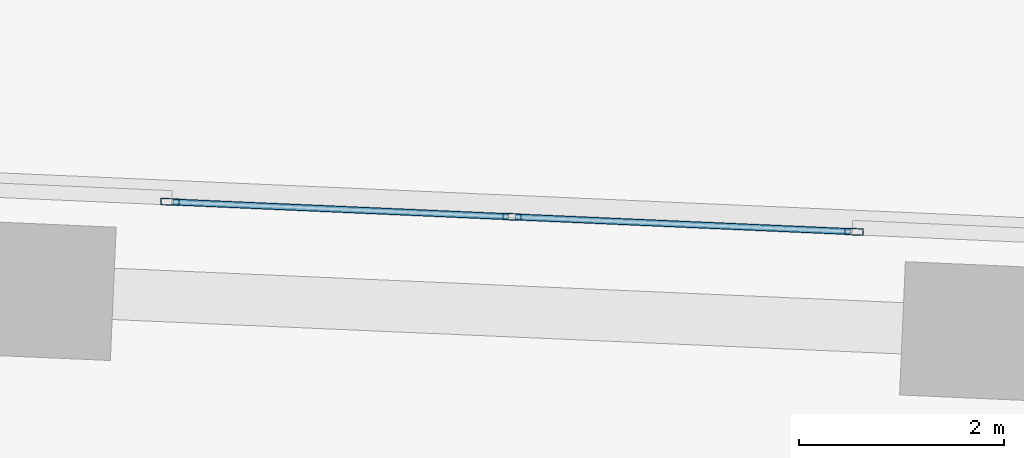
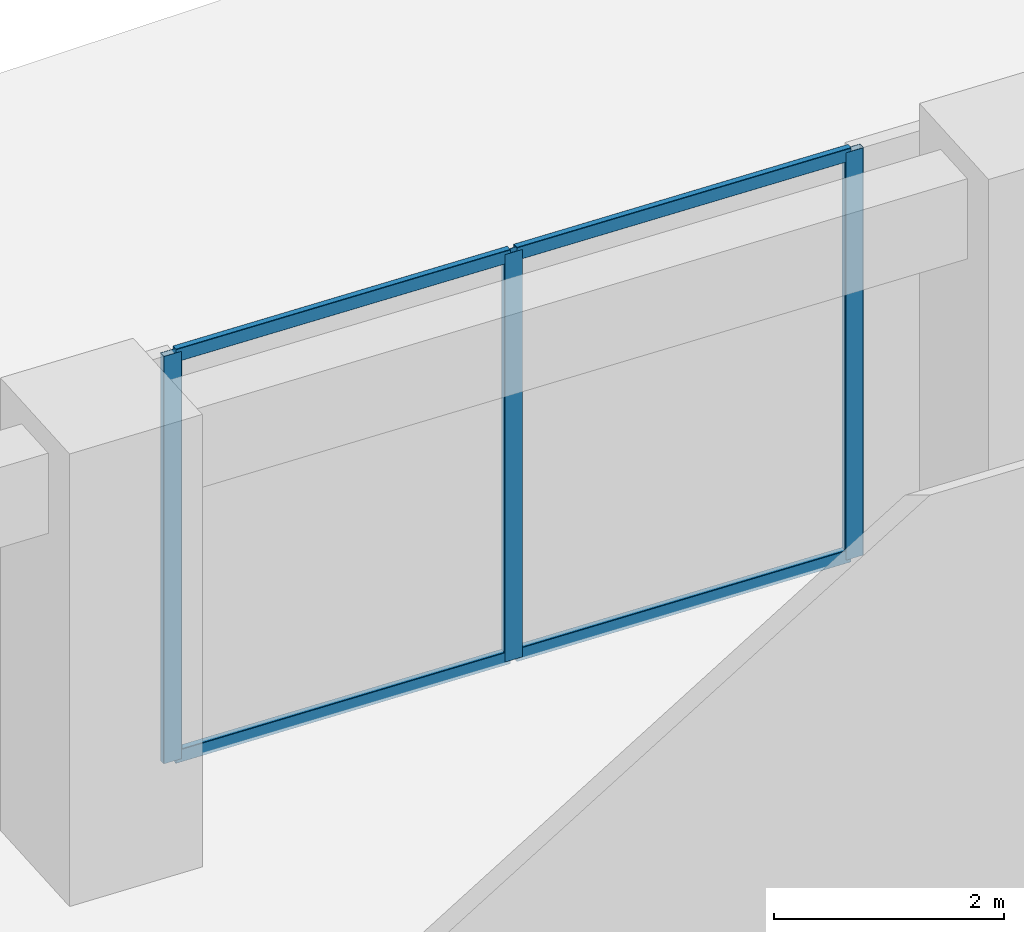
# One storey, part 21 of 33: 7 members, 1 element without a shape of its own.
"""IFC4 building model written with IfcOpenShell, lengths in metres."""

from ifc_helpers import new_model, si_unit, direction, frame, origin, origin_2d, place, context, subcontext, project, spatial, hollow_rectangle, extrude, source, transform, mapped, material, material_profile, profile_set, type_object, element, aggregate, save


model = new_model("IFC4")

# Units and contexts
model_context = context("Model", 3, precision=1e-05, world=origin(), true_north=direction((0.0, 1.0)))
body_context = subcontext(model_context, "Body", "Model", "MODEL_VIEW")
ifc_project = project(units=[si_unit("LENGTHUNIT", "METRE"), si_unit("AREAUNIT", "SQUARE_METRE"), si_unit("VOLUMEUNIT", "CUBIC_METRE"), si_unit("PLANEANGLEUNIT", "RADIAN"), si_unit("MASSUNIT", "GRAM", prefix="KILO")], contexts=[model_context])

# Site, building, storey
site_placement = place(None, origin())
site = spatial("IfcSite", under=ifc_project, at=site_placement, CompositionType="ELEMENT")
building_placement = place(site_placement, origin())
building = spatial("IfcBuilding", under=site, at=building_placement, Name="Torre Montelarca", CompositionType="ELEMENT")
storey_placement = place(building_placement, frame((0.0, 0.0, 32.800048828125)))
storey = spatial("IfcBuildingStorey", under=building, at=storey_placement, Name="L07", CompositionType="ELEMENT", Elevation=32.800048828125)

# Curtain wall, members
ifc_material_1 = material(Name="Insulated low-E laminated glass", Category="glass")
curtain_wall_type = type_object("IfcCurtainWallType", Name="CW-SYS-Z1", PredefinedType="USERDEFINED", material=ifc_material_1)
curtain_wall_placement = place(storey_placement, origin())
curtain_wall = element("IfcCurtainWall", 1, at=curtain_wall_placement, inside=storey, type_object=curtain_wall_type, Name="L07 Curtain Wall Run CW-T3-L07-E08-B3", ObjectType="UNITISED GLAZING", PredefinedType="USERDEFINED")
ifc_material_2 = material(Name="Anodised aluminium AA 6063-T6", Category="aluminium")
ifc_material_profile_1 = material_profile(ifc_material_2, hollow_rectangle(XDim=0.06494140625, YDim=0.179931640625, WallThickness=0.00390625, InnerFilletRadius=0.00390625, OuterFilletRadius=0.008056640625, at=origin_2d()), Name="ALU65X180X4", Category="aluminium")
ifc_profile_set_1 = profile_set([ifc_material_profile_1], Name="Anodised aluminium AA 6063-T6")
member_type_1 = type_object("IfcMemberType", Name="CWM-ALU180", PredefinedType="MULLION", material=ifc_profile_set_1)
shared_shape_1 = source(origin(), body_context, "Body", "SweptSolid", [
    extrude(hollow_rectangle(XDim=0.06494140625, YDim=0.179931640625, WallThickness=0.00390625, InnerFilletRadius=0.00390625, OuterFilletRadius=0.008056640625, at=origin_2d()), origin(), (0.0, 0.0, 1.0), 4.320068359375),
])
member_1_placement = place(storey_placement, frame((26.534423828125, 47.865478515625, 0.0), z_axis=(0.0, 0.0, 1.0), x_axis=(-0.043635534947, -0.999047516432, 0.0)))
member_1 = element("IfcMember", 2, at=member_1_placement, type_object=member_type_1, Name="CW mullion 1", PredefinedType="MULLION", context=body_context, shape_type="MappedRepresentation", body=[
    mapped(shared_shape_1, transform((0.0, 0.0, 0.0), scale=1.0)),
])
member_2_placement = place(storey_placement, frame((23.199951171875, 48.01123046875, 0.0), z_axis=(0.0, 0.0, 1.0), x_axis=(-0.043635534947, -0.999047516432, 0.0)))
member_2 = element("IfcMember", 3, at=member_2_placement, type_object=member_type_1, Name="CW mullion 2", PredefinedType="MULLION", context=body_context, shape_type="MappedRepresentation", body=[
    mapped(shared_shape_1, transform((0.0, 0.0, 0.0), scale=1.0)),
])
member_3_placement = place(storey_placement, frame((19.86572265625, 48.15673828125, 0.0), z_axis=(0.0, 0.0, 1.0), x_axis=(-0.043635534947, -0.999047516432, 0.0)))
member_3 = element("IfcMember", 4, at=member_3_placement, type_object=member_type_1, Name="CW mullion 3", PredefinedType="MULLION", context=body_context, shape_type="MappedRepresentation", body=[
    mapped(shared_shape_1, transform((0.0, 0.0, 0.0), scale=1.0)),
])
ifc_material_profile_2 = material_profile(ifc_material_2, hollow_rectangle(XDim=0.06494140625, YDim=0.139892578125, WallThickness=0.00390625, InnerFilletRadius=0.00390625, OuterFilletRadius=0.008056640625, at=origin_2d()), Name="ALU65X140X4", Category="aluminium")
ifc_profile_set_2 = profile_set([ifc_material_profile_2], Name="Anodised aluminium AA 6063-T6")
member_type_2 = type_object("IfcMemberType", Name="CWT-ALU140", PredefinedType="USERDEFINED", material=ifc_profile_set_2)
shared_shape_2 = source(origin(), body_context, "Body", "SweptSolid", [
    extrude(hollow_rectangle(XDim=0.06494140625, YDim=0.139892578125, WallThickness=0.00390625, InnerFilletRadius=0.00390625, OuterFilletRadius=0.008056640625, at=origin_2d()), origin(), (0.0, 0.0, 1.0), 3.272705078125),
])
member_4_placement = place(storey_placement, frame((26.501953125, 47.866943359375, 0.032470703125), z_axis=(-0.999047269953, 0.043641177787, 0.0), x_axis=(-0.043641177787, -0.999047269953, 0.0)))
member_4 = element("IfcMember", 5, at=member_4_placement, type_object=member_type_2, Name="CW transom 1.1", ObjectType="TRANSOM", PredefinedType="USERDEFINED", context=body_context, shape_type="MappedRepresentation", body=[
    mapped(shared_shape_2, transform((0.0, 0.0, 0.0), scale=1.0)),
])
member_5_placement = place(storey_placement, frame((26.501953125, 47.866943359375, 4.287353515625), z_axis=(-0.999047269953, 0.043641177787, 0.0), x_axis=(-0.043641177787, -0.999047269953, 0.0)))
member_5 = element("IfcMember", 6, at=member_5_placement, type_object=member_type_2, Name="CW transom 1.2", ObjectType="TRANSOM", PredefinedType="USERDEFINED", context=body_context, shape_type="MappedRepresentation", body=[
    mapped(shared_shape_2, transform((0.0, 0.0, 0.0), scale=1.0)),
])
shared_shape_3 = source(origin(), body_context, "Body", "SweptSolid", [
    extrude(hollow_rectangle(XDim=0.06494140625, YDim=0.139892578125, WallThickness=0.00390625, InnerFilletRadius=0.00390625, OuterFilletRadius=0.008056640625, at=origin_2d()), origin(), (0.0, 0.0, 1.0), 3.2724609375),
])
member_6_placement = place(storey_placement, frame((23.16748046875, 48.012451171875, 0.032470703125), z_axis=(-0.999047127857, 0.043644430573, 0.0), x_axis=(-0.043644430573, -0.999047127857, 0.0)))
member_6 = element("IfcMember", 7, at=member_6_placement, type_object=member_type_2, Name="CW transom 2.1", ObjectType="TRANSOM", PredefinedType="USERDEFINED", context=body_context, shape_type="MappedRepresentation", body=[
    mapped(shared_shape_3, transform((0.0, 0.0, 0.0), scale=1.0)),
])
member_7_placement = place(storey_placement, frame((23.16748046875, 48.012451171875, 4.287353515625), z_axis=(-0.999047127857, 0.043644430573, 0.0), x_axis=(-0.043644430573, -0.999047127857, 0.0)))
member_7 = element("IfcMember", 8, at=member_7_placement, type_object=member_type_2, Name="CW transom 2.2", ObjectType="TRANSOM", PredefinedType="USERDEFINED", context=body_context, shape_type="MappedRepresentation", body=[
    mapped(shared_shape_3, transform((0.0, 0.0, 0.0), scale=1.0)),
])
aggregate(curtain_wall, [member_1, member_2, member_3, member_4, member_5, member_6, member_7])

save(model, "model.ifc")
